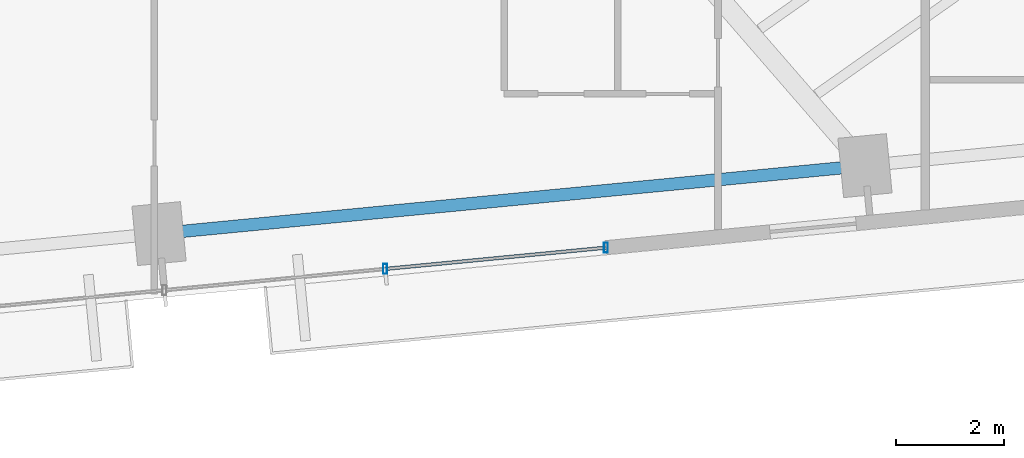
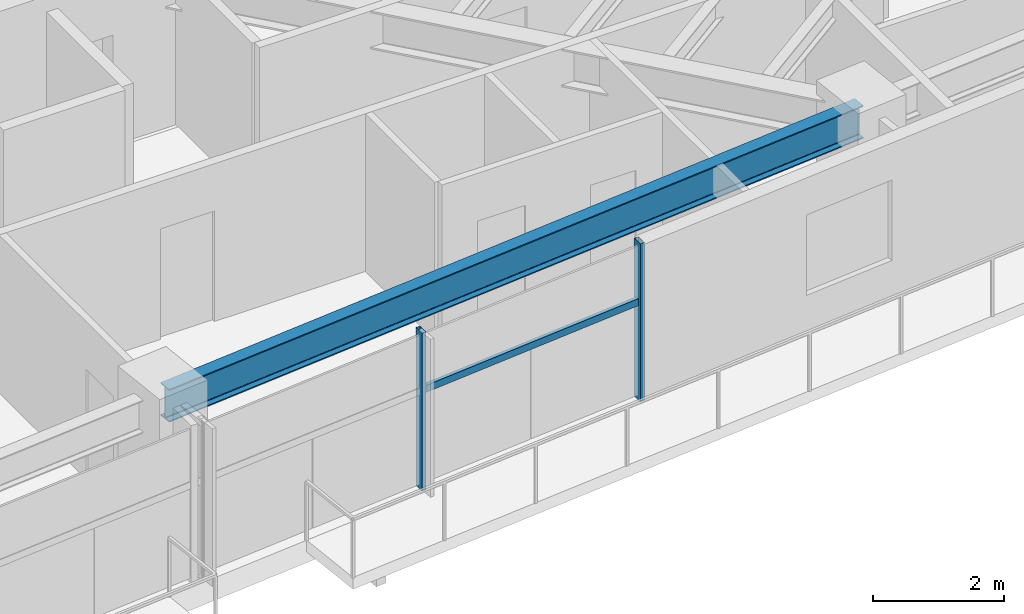
# One storey, part 12 of 25: 3 members, 1 beam, 1 element without a shape of its own.
"""IFC4 building model written with IfcOpenShell, lengths in metres."""

import ifcopenshell
import ifcopenshell.guid

model = None  # the IFC model being written
_history = None  # IfcOwnerHistory: only IFC2X3 demands one
_inside = {}  # id of a spatial element -> (the spatial element, [elements in it])
_under = {}  # id of a project, library or spatial element -> (it, [spatial elements below it])
_declared = {}  # id of a project -> (the project, [libraries it declares])
_typed = {}  # id of a type object -> (the type object, [elements of that type])
_made_of = {}  # id of a material, layer set ... -> (it, [elements and type objects made of it])


def new_model(schema):
    """Start an empty IFC model of exactly this schema.

    Asked for "IFC4X3", IfcOpenShell would pick the latest addendum, in which some entities
    have other attributes; the version numbers below select the first issue.
    IFC2X3 requires an IfcOwnerHistory on every rooted entity: one is made here for all.
    """
    global model, _history
    if schema == "IFC4X3":
        model = ifcopenshell.file(schema_version=(4, 3, 0, 0))
    else:
        model = ifcopenshell.file(schema=schema)
    _inside.clear()
    _under.clear()
    _declared.clear()
    _typed.clear()
    _made_of.clear()
    _history = None
    if model.schema == "IFC2X3":
        org = make("IfcOrganization", Name="unknown")
        user = make(
            "IfcPersonAndOrganization",
            ThePerson=make("IfcPerson", FamilyName="unknown"),
            TheOrganization=org,
        )
        app = make(
            "IfcApplication",
            ApplicationDeveloper=org,
            Version="unknown",
            ApplicationFullName="unknown",
            ApplicationIdentifier="unknown",
        )
        _history = make(
            "IfcOwnerHistory",
            OwningUser=user,
            OwningApplication=app,
            ChangeAction="ADDED",
            CreationDate=0,
        )
    return model


def make(cls, **values):
    """One entity of the class cls with the attributes given. An attribute that is None is left unset."""
    return model.create_entity(
        cls, **{name: value for name, value in values.items() if value is not None}
    )


def rooted(cls, **values):
    """An entity with a GlobalId (a new one), such as an element, a storey or a relation."""
    return make(cls, GlobalId=ifcopenshell.guid.new(), OwnerHistory=_history, **values)


def si_unit(unit_type, name, prefix=None):
    """IfcSIUnit, for example si_unit("LENGTHUNIT", "METRE", prefix="MILLI")."""
    return make("IfcSIUnit", UnitType=unit_type, Prefix=prefix, Name=name)


def assignment(units):
    """IfcUnitAssignment: the units of a project."""
    return None if units is None else make("IfcUnitAssignment", Units=units)


def point(xyz):
    """IfcCartesianPoint."""
    return None if xyz is None else make("IfcCartesianPoint", Coordinates=xyz)


def direction(xyz):
    """IfcDirection."""
    return None if xyz is None else make("IfcDirection", DirectionRatios=xyz)


def frame(location, z_axis=None, x_axis=None):
    """IfcAxis2Placement3D, a coordinate frame: its origin and axes. An axis left out is left unset."""
    return make(
        "IfcAxis2Placement3D",
        Location=point(location),
        Axis=direction(z_axis),
        RefDirection=direction(x_axis),
    )


def frame_2d(location, x_axis=None):
    """IfcAxis2Placement2D, a coordinate frame in the plane: its origin and x axis."""
    return make(
        "IfcAxis2Placement2D", Location=point(location), RefDirection=direction(x_axis)
    )


def origin():
    """The frame at (0, 0, 0) with its axes left unset."""
    return frame((0.0, 0.0, 0.0))


def origin_2d():
    """The frame at (0, 0) in the plane with its x axis left unset."""
    return frame_2d((0.0, 0.0))


def place(relative_to, where):
    """IfcLocalPlacement: puts the frame where relative to a parent placement (None: the world)."""
    return make(
        "IfcLocalPlacement", PlacementRelTo=relative_to, RelativePlacement=where
    )


def context(
    kind, dimensions, precision=None, world=None, true_north=None, identifier=None
):
    """IfcGeometricRepresentationContext, for example the 3D "Model" context."""
    return make(
        "IfcGeometricRepresentationContext",
        ContextIdentifier=identifier,
        ContextType=kind,
        CoordinateSpaceDimension=dimensions,
        Precision=precision,
        WorldCoordinateSystem=world,
        TrueNorth=true_north,
    )


def subcontext(parent, identifier, kind, view, scale=None):
    """IfcGeometricRepresentationSubContext, for example "Body" below "Model"."""
    return make(
        "IfcGeometricRepresentationSubContext",
        ContextIdentifier=identifier,
        ContextType=kind,
        ParentContext=parent,
        TargetScale=scale,
        TargetView=view,
    )


def project(units=None, contexts=None):
    """IfcProject with its units and contexts."""
    return rooted(
        "IfcProject",
        Name="project",
        RepresentationContexts=contexts,
        UnitsInContext=assignment(units),
    )


def spatial(cls, under=None, at=None, **own):
    """A site, building, storey or space (cls), placed at a placement, below another one or the project."""
    s = rooted(cls, ObjectPlacement=at, **own)
    if under is not None:
        _under.setdefault(under.id(), (under, []))[1].append(s)
    return s


def profile(cls, at=None, kind="AREA", **sizes):
    """A parametric profile (cls). Its sizes go by their IFC names, for example OverallWidth=200.0."""
    return make(cls, ProfileType=kind, Position=at, **sizes)


def hollow_rectangle(**sizes):
    """IfcRectangleHollowProfileDef."""
    return profile("IfcRectangleHollowProfileDef", **sizes)


def i_section(**sizes):
    """IfcIShapeProfileDef."""
    return profile("IfcIShapeProfileDef", **sizes)


def extrude(swept, where, along, depth):
    """IfcExtrudedAreaSolid: the profile swept, set in the frame where, extruded along a direction by depth."""
    return make(
        "IfcExtrudedAreaSolid",
        SweptArea=swept,
        Position=where,
        ExtrudedDirection=direction(along),
        Depth=depth,
    )


def shape(context_of_items, identifier, shape_type, items):
    """IfcShapeRepresentation: the items that make up one representation, for example the "Body"."""
    return make(
        "IfcShapeRepresentation",
        ContextOfItems=context_of_items,
        RepresentationIdentifier=identifier,
        RepresentationType=shape_type,
        Items=items,
    )


def source(mapping_origin, context_of_items, identifier, shape_type, items):
    """IfcRepresentationMap: a shape defined once, which mapped items show again and again."""
    return make(
        "IfcRepresentationMap",
        MappingOrigin=mapping_origin,
        MappedRepresentation=shape(context_of_items, identifier, shape_type, items),
    )


def transform(
    local_origin,
    x_axis=None,
    y_axis=None,
    z_axis=None,
    scale=None,
    scale2=None,
    scale3=None,
    uniform=True,
):
    """IfcCartesianTransformationOperator3D, or its non-uniform kind. x_axis, y_axis, z_axis: its Axis1, 2, 3."""
    if uniform:
        return make(
            "IfcCartesianTransformationOperator3D",
            Axis1=direction(x_axis),
            Axis2=direction(y_axis),
            LocalOrigin=point(local_origin),
            Scale=scale,
            Axis3=direction(z_axis),
        )
    return make(
        "IfcCartesianTransformationOperator3DnonUniform",
        Axis1=direction(x_axis),
        Axis2=direction(y_axis),
        LocalOrigin=point(local_origin),
        Scale=scale,
        Axis3=direction(z_axis),
        Scale2=scale2,
        Scale3=scale3,
    )


def mapped(mapping_source, mapping_target):
    """IfcMappedItem: shows the shape of a source again, moved by a transform."""
    return make(
        "IfcMappedItem", MappingSource=mapping_source, MappingTarget=mapping_target
    )


def material(Name=None, Category=None):
    """IfcMaterial."""
    return make("IfcMaterial", Name=Name, Category=Category)


def material_profile(
    of_material, cross_section, Name=None, Category=None, Priority=None
):
    """IfcMaterialProfile: a cross section and its material."""
    return make(
        "IfcMaterialProfile",
        Name=Name,
        Material=of_material,
        Profile=cross_section,
        Priority=Priority,
        Category=Category,
    )


def profile_set(profiles, Name=None, composite=None):
    """IfcMaterialProfileSet."""
    return make(
        "IfcMaterialProfileSet",
        Name=Name,
        MaterialProfiles=profiles,
        CompositeProfile=composite,
    )


def made_of(thing, what):
    """Note that an element or type object is made of a material, layer set ...; save() writes the relation."""
    if what is not None:
        _made_of.setdefault(what.id(), (what, []))[1].append(thing)
    return thing


def type_object(cls, material=None, **own):
    """A type object (cls), such as IfcWallType, which elements share."""
    return made_of(rooted(cls, **own), material)


def type_shapes(of_type, sources):
    """Give a type object the sources (RepresentationMaps) that its elements show as mapped items."""
    of_type.RepresentationMaps = sources


def element(
    cls,
    number,
    at=None,
    inside=None,
    cuts=None,
    type_object=None,
    material=None,
    context=None,
    identifier="Body",
    shape_type=None,
    held_by="IfcProductDefinitionShape",
    body=None,
    shapes=None,
    **own,
):
    """One element of the class cls, such as IfcWall. Its Tag is "e" and its number.

    at: its placement. inside: the storey or other place that contains it. cuts: it is an
    opening in that element (IfcRelVoidsElement). A single representation is given by context,
    identifier, shape_type and body (its items); several are given by shapes. held_by: the class
    of the entity that holds the representations. save() writes the other relations.
    """
    e = rooted(cls, Tag="e%d" % number, ObjectPlacement=at, **own)
    if body is not None:
        shapes = [shape(context, identifier, shape_type, body)]
    if shapes is not None:
        e.Representation = make(held_by, Representations=shapes)
    if inside is not None:
        _inside.setdefault(inside.id(), (inside, []))[1].append(e)
    if cuts is not None:
        rooted(
            "IfcRelVoidsElement", RelatingBuildingElement=cuts, RelatedOpeningElement=e
        )
    if type_object is not None:
        _typed.setdefault(type_object.id(), (type_object, []))[1].append(e)
    return made_of(e, material)


def aggregate(whole, parts):
    """IfcRelAggregates: a whole, such as a stair, and the parts it consists of."""
    return rooted("IfcRelAggregates", RelatingObject=whole, RelatedObjects=parts)


def save(model, path):
    """Write the relations noted so far, then the file.

    IfcRelAggregates (storeys below a building ...), IfcRelContainedInSpatialStructure (elements
    in a storey), IfcRelDefinesByType, IfcRelAssociatesMaterial and IfcRelDeclares: one each for
    every whole, place, type object, material and project.
    """
    for whole, parts in _under.values():
        aggregate(whole, parts)
    for where, things in _inside.values():
        rooted(
            "IfcRelContainedInSpatialStructure",
            RelatedElements=things,
            RelatingStructure=where,
        )
    for kind, things in _typed.values():
        rooted("IfcRelDefinesByType", RelatedObjects=things, RelatingType=kind)
    for what, things in _made_of.values():
        rooted("IfcRelAssociatesMaterial", RelatedObjects=things, RelatingMaterial=what)
    for by, libraries in _declared.values():
        rooted("IfcRelDeclares", RelatingContext=by, RelatedDefinitions=libraries)
    model.write(path)


model = new_model("IFC4")

# Units and contexts
model_context = context("Model", 3, precision=1e-05, world=origin(), true_north=direction((0.0, 1.0)))
body_context = subcontext(model_context, "Body", "Model", "MODEL_VIEW")
ifc_project = project(units=[si_unit("LENGTHUNIT", "METRE"), si_unit("AREAUNIT", "SQUARE_METRE"), si_unit("VOLUMEUNIT", "CUBIC_METRE"), si_unit("PLANEANGLEUNIT", "RADIAN"), si_unit("MASSUNIT", "GRAM", prefix="KILO")], contexts=[model_context])

# Site, building, storey
site_placement = place(None, origin())
site = spatial("IfcSite", under=ifc_project, at=site_placement, CompositionType="ELEMENT")
building_placement = place(site_placement, origin())
building = spatial("IfcBuilding", under=site, at=building_placement, Name="Astriad Promenade Condominiums", CompositionType="ELEMENT")
storey_placement = place(building_placement, frame((0.0, 0.0, 77.800048828125)))
storey = spatial("IfcBuildingStorey", under=building, at=storey_placement, Name="L21", CompositionType="ELEMENT", Elevation=77.800048828125)

# Beam
ifc_material_1 = material(Name="Steel ASTM A992 Grade 50", Category="steel")
ifc_material_profile_1 = material_profile(ifc_material_1, i_section(OverallWidth=0.22900390625, OverallDepth=0.612060546875, WebThickness=0.011962890625, FlangeThickness=0.01953125, FilletRadius=0.017822265625, at=origin_2d()), Name="W24X84")
ifc_profile_set_1 = profile_set([ifc_material_profile_1], Name="Steel ASTM A992 Grade 50")
beam_type = type_object("IfcBeamType", Name="STEEL SPANDREL BEAM W24X84", PredefinedType="SPANDREL", material=ifc_profile_set_1)
shared_shape_1 = source(origin(), body_context, "Body", "SweptSolid", [
    extrude(i_section(OverallWidth=0.22900390625, OverallDepth=0.612060546875, WebThickness=0.011962890625, FlangeThickness=0.01953125, FilletRadius=0.017822265625, at=origin_2d()), origin(), (0.0, 0.0, 1.0), 13.02001953125),
])
type_shapes(beam_type, [shared_shape_1])
beam_placement = place(storey_placement, frame((40.085205078125, 7.5244140625, 2.6337890625), z_axis=(0.995395138946, 0.095856754395, 0.0), x_axis=(-0.095856754395, 0.995395138946, 0.0)))
element("IfcBeam", 1, at=beam_placement, inside=storey, type_object=beam_type, Name="Perimeter Spandrel Beam SP-S3-L21", PredefinedType="SPANDREL", context=body_context, shape_type="MappedRepresentation", body=[
    mapped(shared_shape_1, transform((0.0, 0.0, 0.0), scale=1.0)),
])

# Curtain wall, members
ifc_material_2 = material(Name="Anodised aluminium Black Dark Glass Unitised", Category="aluminium")
curtain_wall_type = type_object("IfcCurtainWallType", Name="CW-B2-DARK", PredefinedType="USERDEFINED", material=ifc_material_2)
curtain_wall_placement = place(storey_placement, origin())
curtain_wall = element("IfcCurtainWall", 2, at=curtain_wall_placement, inside=storey, type_object=curtain_wall_type, Name="CW-L21-S", ObjectType="UNITISED_CURTAIN_WALL", PredefinedType="USERDEFINED")
ifc_material_3 = material(Name="Anodised aluminium 6063-T6 Black", Category="aluminium")
ifc_material_profile_2 = material_profile(ifc_material_3, hollow_rectangle(XDim=0.074951171875, YDim=0.18505859375, WallThickness=0.00439453125, at=origin_2d()), Name="ALU-MUL-75X185")
ifc_profile_set_2 = profile_set([ifc_material_profile_2], Name="Anodised aluminium 6063-T6 Black")
member_type_1 = type_object("IfcMemberType", Name="MUL-ALU-MUL-75X185", PredefinedType="MULLION", material=ifc_profile_set_2)
shared_shape_2 = source(origin(), body_context, "Body", "SweptSolid", [
    extrude(hollow_rectangle(XDim=0.074951171875, YDim=0.18505859375, WallThickness=0.00439453125, at=origin_2d()), origin(), (0.0, 0.0, 1.0), 2.93994140625),
])
type_shapes(member_type_1, [shared_shape_2])
member_1_placement = place(storey_placement, frame((48.29833984375, 7.260498046875, 0.0), z_axis=(0.0, 0.0, 1.0), x_axis=(1.0, 0.0, 0.0)))
member_1 = element("IfcMember", 3, at=member_1_placement, type_object=member_type_1, Name="CW-L21-S-MUL-00", PredefinedType="MULLION", context=body_context, shape_type="MappedRepresentation", body=[
    mapped(shared_shape_2, transform((0.0, 0.0, 0.0), scale=1.0)),
])
member_2_placement = place(storey_placement, frame((44.22216796875, 6.867919921875, 0.0), z_axis=(0.0, 0.0, 1.0), x_axis=(1.0, 0.0, 0.0)))
member_2 = element("IfcMember", 4, at=member_2_placement, type_object=member_type_1, Name="CW-L21-S-MUL-01", PredefinedType="MULLION", context=body_context, shape_type="MappedRepresentation", body=[
    mapped(shared_shape_2, transform((0.0, 0.0, 0.0), scale=1.0)),
])
ifc_material_profile_3 = material_profile(ifc_material_3, hollow_rectangle(XDim=0.06494140625, YDim=0.1298828125, WallThickness=0.00390625, at=origin_2d()), Name="ALU-TRN-65X130")
ifc_profile_set_3 = profile_set([ifc_material_profile_3], Name="Anodised aluminium 6063-T6 Black")
member_type_2 = type_object("IfcMemberType", Name="TRN-ALU-TRN-65X130", PredefinedType="USERDEFINED", material=ifc_profile_set_3)
shared_shape_3 = source(origin(), body_context, "Body", "SweptSolid", [
    extrude(hollow_rectangle(XDim=0.06494140625, YDim=0.1298828125, WallThickness=0.00390625, at=origin_2d()), origin(), (0.0, 0.0, 1.0), 4.094970703125),
])
type_shapes(member_type_2, [shared_shape_3])
member_3_placement = place(storey_placement, frame((48.29833984375, 7.260498046875, 1.82275390625), z_axis=(-0.995394161585, -0.09586690296, 0.0), x_axis=(0.09586690296, -0.995394161585, 0.0)))
member_3 = element("IfcMember", 5, at=member_3_placement, type_object=member_type_2, Name="CW-L21-S-TRN-00-0", ObjectType="TRANSOM", PredefinedType="USERDEFINED", context=body_context, shape_type="MappedRepresentation", body=[
    mapped(shared_shape_3, transform((0.0, 0.0, 0.0), scale=1.0)),
])
aggregate(curtain_wall, [member_1, member_2, member_3])

save(model, "model.ifc")
